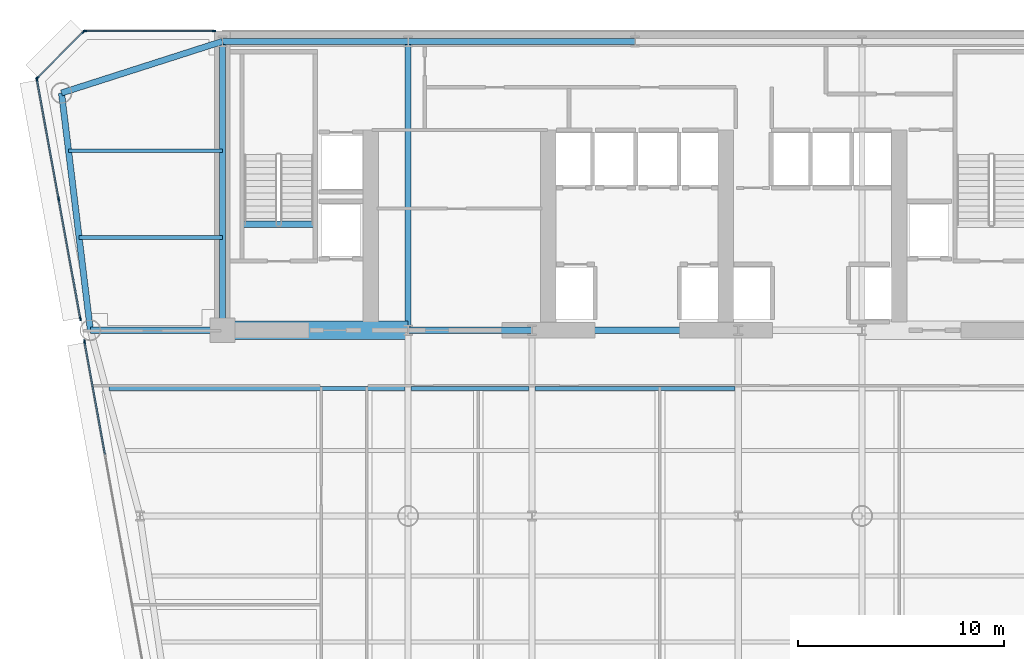
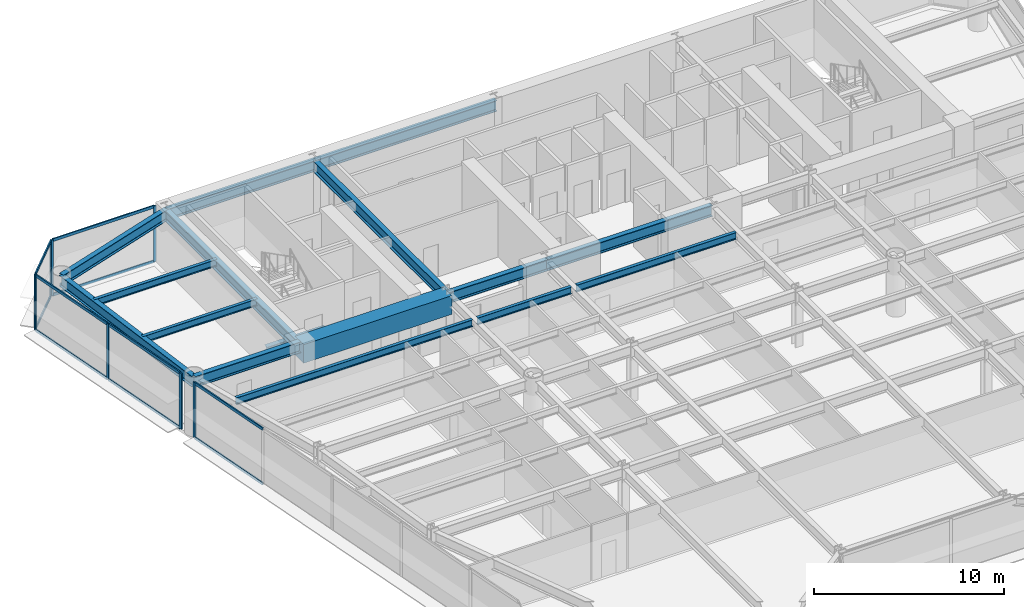
# One storey, part 5 of 14: 18 members, 16 beams, 4 elements without a shape of their own.
"""IFC4 building model written with IfcOpenShell, lengths in metres."""

from ifc_helpers import new_model, si_unit, direction, frame, origin, origin_2d, place, context, subcontext, project, spatial, rectangle, i_section, extrude, source, transform, mapped, material, layer, layer_set, material_profile, profile_set, type_object, element, aggregate, save


model = new_model("IFC4")

# Units and contexts
model_context = context("Model", 3, precision=1e-05, world=origin(), true_north=direction((0.0, 1.0)))
body_context = subcontext(model_context, "Body", "Model", "MODEL_VIEW")
ifc_project = project(units=[si_unit("LENGTHUNIT", "METRE"), si_unit("AREAUNIT", "SQUARE_METRE"), si_unit("VOLUMEUNIT", "CUBIC_METRE"), si_unit("PLANEANGLEUNIT", "RADIAN"), si_unit("MASSUNIT", "GRAM", prefix="KILO")], contexts=[model_context])

# Site, building, storey
site_placement = place(None, origin())
site = spatial("IfcSite", under=ifc_project, at=site_placement, CompositionType="ELEMENT")
building_placement = place(site_placement, origin())
building = spatial("IfcBuilding", under=site, at=building_placement, Name="Vaeldorn Concourse Tower", CompositionType="ELEMENT")
storey_placement = place(building_placement, frame((0.0, 0.0, 137.60009765625)))
storey = spatial("IfcBuildingStorey", under=building, at=storey_placement, Name="L35", CompositionType="ELEMENT", Elevation=137.60009765625)

# Beams
ifc_material_1 = material(Name="Concrete C60/75", Category="concrete")
ifc_material_profile_1 = material_profile(ifc_material_1, rectangle(XDim=0.89990234375, YDim=1.199951171875, at=origin_2d()), Name="RC 900x1200")
ifc_profile_set_1 = profile_set([ifc_material_profile_1], Name="Concrete C60/75")
beam_type_1 = type_object("IfcBeamType", Name="BM-CB-RC900", PredefinedType="BEAM", material=ifc_profile_set_1)
shared_shape_1 = source(origin(), body_context, "Body", "SweptSolid", [
    extrude(rectangle(XDim=0.89990234375, YDim=1.199951171875, at=origin_2d()), origin(), (0.0, 0.0, 1.0), 9.0),
])
beam_1_placement = place(storey_placement, frame((14.0, 36.5, 2.97998046875), z_axis=(1.0, 0.0, 0.0), x_axis=(0.0, 1.0, 0.0)))
element("IfcBeam", 1, at=beam_1_placement, inside=storey, type_object=beam_type_1, Name="Core Coupling Beam L35-1", PredefinedType="BEAM", context=body_context, shape_type="MappedRepresentation", body=[
    mapped(shared_shape_1, transform((0.0, 0.0, 0.0), scale=1.0)),
])
ifc_material_2 = material(Name="Steel S355", Category="steel")
ifc_material_profile_2 = material_profile(ifc_material_2, i_section(OverallWidth=0.300048828125, OverallDepth=0.340087890625, WebThickness=0.011962890625, FlangeThickness=0.021484375, FilletRadius=0.027099609375, at=origin_2d()), Name="HEB 340")
ifc_profile_set_2 = profile_set([ifc_material_profile_2], Name="Steel S355")
beam_type_2 = type_object("IfcBeamType", Name="BM-ST-TRIM", PredefinedType="BEAM", material=ifc_profile_set_2)
shared_shape_2 = source(origin(), body_context, "Body", "SweptSolid", [
    extrude(i_section(OverallWidth=0.300048828125, OverallDepth=0.340087890625, WebThickness=0.011962890625, FlangeThickness=0.021484375, FilletRadius=0.027099609375, at=origin_2d()), origin(), (0.0, 0.0, 1.0), 3.590087890625),
])
beam_2_placement = place(storey_placement, frame((14.929931640625, 41.639892578125, -0.39013671875), z_axis=(1.0, 0.0, 0.0), x_axis=(0.0, 1.0, 0.0)))
element("IfcBeam", 2, at=beam_2_placement, inside=storey, type_object=beam_type_2, Name="Stair Landing Trimmer Beam ST-1 L35", PredefinedType="BEAM", context=body_context, shape_type="MappedRepresentation", body=[
    mapped(shared_shape_2, transform((0.0, 0.0, 0.0), scale=1.0)),
])
ifc_material_profile_3 = material_profile(ifc_material_2, i_section(OverallWidth=0.300048828125, OverallDepth=0.699951171875, WebThickness=0.01708984375, FlangeThickness=0.031982421875, FilletRadius=0.027099609375, at=origin_2d()), Name="HEB 700")
ifc_profile_set_3 = profile_set([ifc_material_profile_3], Name="Steel S355")
beam_type_3 = type_object("IfcBeamType", Name="BM-PG-HEB700", PredefinedType="BEAM", material=ifc_profile_set_3)
shared_shape_3 = source(origin(), body_context, "Body", "SweptSolid", [
    extrude(i_section(OverallWidth=0.300048828125, OverallDepth=0.699951171875, WebThickness=0.01708984375, FlangeThickness=0.031982421875, FilletRadius=0.027099609375, at=origin_2d()), origin(), (0.0, 0.0, 1.0), 6.0),
])
beam_3_placement = place(storey_placement, frame((23.0, 36.5, 3.22998046875), z_axis=(1.0, 0.0, 0.0), x_axis=(0.0, 1.0, 0.0)))
element("IfcBeam", 3, at=beam_3_placement, inside=storey, type_object=beam_type_3, Name="Beam BM-L35-C-FC2-C-FC3", PredefinedType="BEAM", context=body_context, shape_type="MappedRepresentation", body=[
    mapped(shared_shape_3, transform((0.0, 0.0, 0.0), scale=1.0)),
])
shared_shape_4 = source(origin(), body_context, "Body", "SweptSolid", [
    extrude(i_section(OverallWidth=0.300048828125, OverallDepth=0.699951171875, WebThickness=0.01708984375, FlangeThickness=0.031982421875, FilletRadius=0.027099609375, at=origin_2d()), origin(), (0.0, 0.0, 1.0), 10.0),
])
beam_4_placement = place(storey_placement, frame((29.0, 36.5, 3.22998046875), z_axis=(1.0, 0.0, 0.0), x_axis=(0.0, 1.0, 0.0)))
element("IfcBeam", 4, at=beam_4_placement, inside=storey, type_object=beam_type_3, Name="Beam BM-L35-C-FC3-C-FC4", PredefinedType="BEAM", context=body_context, shape_type="MappedRepresentation", body=[
    mapped(shared_shape_4, transform((0.0, 0.0, 0.0), scale=1.0)),
])
shared_shape_5 = source(origin(), body_context, "Body", "SweptSolid", [
    extrude(i_section(OverallWidth=0.300048828125, OverallDepth=0.699951171875, WebThickness=0.01708984375, FlangeThickness=0.031982421875, FilletRadius=0.027099609375, at=origin_2d()), origin(), (0.0, 0.0, 1.0), 9.0),
])
beam_5_placement = place(storey_placement, frame((14.0, 50.5, 3.22998046875), z_axis=(1.0, 0.0, 0.0), x_axis=(0.0, 1.0, 0.0)))
element("IfcBeam", 5, at=beam_5_placement, inside=storey, type_object=beam_type_3, Name="Beam BM-L35-C-HC1-C-HC2", PredefinedType="BEAM", context=body_context, shape_type="MappedRepresentation", body=[
    mapped(shared_shape_5, transform((0.0, 0.0, 0.0), scale=1.0)),
])
shared_shape_6 = source(origin(), body_context, "Body", "SweptSolid", [
    extrude(i_section(OverallWidth=0.300048828125, OverallDepth=0.699951171875, WebThickness=0.01708984375, FlangeThickness=0.031982421875, FilletRadius=0.027099609375, at=origin_2d()), origin(), (0.0, 0.0, 1.0), 11.0),
])
beam_6_placement = place(storey_placement, frame((23.0, 50.5, 3.22998046875), z_axis=(1.0, 0.0, 0.0), x_axis=(0.0, 1.0, 0.0)))
element("IfcBeam", 6, at=beam_6_placement, inside=storey, type_object=beam_type_3, Name="Beam BM-L35-C-HC2-C-HC3", PredefinedType="BEAM", context=body_context, shape_type="MappedRepresentation", body=[
    mapped(shared_shape_6, transform((0.0, 0.0, 0.0), scale=1.0)),
])
shared_shape_7 = source(origin(), body_context, "Body", "SweptSolid", [
    extrude(i_section(OverallWidth=0.300048828125, OverallDepth=0.699951171875, WebThickness=0.01708984375, FlangeThickness=0.031982421875, FilletRadius=0.027099609375, at=origin_2d()), origin(), (0.0, 0.0, 1.0), 14.0),
])
for number, where, z_axis, x_axis, name in (
    (7, (14.0, 36.5, 3.22998046875), (0.0, 1.0, 0.0), (-1.0, 0.0, 0.0), "Beam BM-L35-C-FC1-C-HC1"),
    (8, (23.0, 36.5, 3.22998046875), (0.0, 1.0, 0.0), (-1.0, 0.0, 0.0), "Beam BM-L35-C-FC2-C-HC2"),
):
    element("IfcBeam", number, at=place(storey_placement, frame(where, z_axis=z_axis, x_axis=x_axis)), inside=storey, type_object=beam_type_3, Name=name, PredefinedType="BEAM", context=body_context, shape_type="MappedRepresentation", body=[
        mapped(shared_shape_7, transform((0.0, 0.0, 0.0), scale=1.0)),
    ])
shared_shape_8 = source(origin(), body_context, "Body", "SweptSolid", [
    extrude(i_section(OverallWidth=0.300048828125, OverallDepth=0.699951171875, WebThickness=0.01708984375, FlangeThickness=0.031982421875, FilletRadius=0.027099609375, at=origin_2d()), origin(), (0.0, 0.0, 1.0), 8.19091796875),
])
beam_7_placement = place(storey_placement, frame((6.199951171875, 48.0, 3.22998046875), z_axis=(0.952282843383, 0.305216949396, 0.0), x_axis=(-0.305216949396, 0.952282843383, 0.0)))
element("IfcBeam", 9, at=beam_7_placement, inside=storey, type_object=beam_type_3, Name="Beam BM-L35-C-NW1-C-HC1", PredefinedType="BEAM", context=body_context, shape_type="MappedRepresentation", body=[
    mapped(shared_shape_8, transform((0.0, 0.0, 0.0), scale=1.0)),
])
shared_shape_9 = source(origin(), body_context, "Body", "SweptSolid", [
    extrude(i_section(OverallWidth=0.300048828125, OverallDepth=0.699951171875, WebThickness=0.01708984375, FlangeThickness=0.031982421875, FilletRadius=0.027099609375, at=origin_2d()), origin(), (0.0, 0.0, 1.0), 11.5849609375),
])
beam_8_placement = place(storey_placement, frame((6.199951171875, 48.0, 3.22998046875), z_axis=(0.120859382899, -0.992669637677, 0.0), x_axis=(0.992669637677, 0.120859382899, 0.0)))
element("IfcBeam", 10, at=beam_8_placement, inside=storey, type_object=beam_type_3, Name="Beam BM-L35-C-NW1-C-NW2", PredefinedType="BEAM", context=body_context, shape_type="MappedRepresentation", body=[
    mapped(shared_shape_9, transform((0.0, 0.0, 0.0), scale=1.0)),
])
shared_shape_10 = source(origin(), body_context, "Body", "SweptSolid", [
    extrude(i_section(OverallWidth=0.300048828125, OverallDepth=0.699951171875, WebThickness=0.01708984375, FlangeThickness=0.031982421875, FilletRadius=0.027099609375, at=origin_2d()), origin(), (0.0, 0.0, 1.0), 6.39990234375),
])
beam_9_placement = place(storey_placement, frame((7.60009765625, 36.5, 3.22998046875), z_axis=(1.0, 0.0, 0.0), x_axis=(0.0, 1.0, 0.0)))
element("IfcBeam", 11, at=beam_9_placement, inside=storey, type_object=beam_type_3, Name="Beam BM-L35-C-NW2-C-FC1", PredefinedType="BEAM", context=body_context, shape_type="MappedRepresentation", body=[
    mapped(shared_shape_10, transform((0.0, 0.0, 0.0), scale=1.0)),
])
ifc_material_profile_4 = material_profile(ifc_material_2, i_section(OverallWidth=0.18994140625, OverallDepth=0.449951171875, WebThickness=0.009521484375, FlangeThickness=0.0146484375, FilletRadius=0.02099609375, at=origin_2d()), Name="IPE 450")
ifc_profile_set_4 = profile_set([ifc_material_profile_4], Name="Steel S355")
beam_type_4 = type_object("IfcBeamType", Name="BM-JS-IPE450", PredefinedType="JOIST", material=ifc_profile_set_4)
shared_shape_11 = source(origin(), body_context, "Body", "SweptSolid", [
    extrude(i_section(OverallWidth=0.18994140625, OverallDepth=0.449951171875, WebThickness=0.009521484375, FlangeThickness=0.0146484375, FilletRadius=0.02099609375, at=origin_2d()), origin(), (0.0, 0.0, 1.0), 5.7001953125),
])
beam_10_placement = place(storey_placement, frame((23.14990234375, 33.679931640625, 3.35498046875), z_axis=(1.0, 0.0, 0.0), x_axis=(0.0, 1.0, 0.0)))
element("IfcBeam", 12, at=beam_10_placement, inside=storey, type_object=beam_type_4, Name="Beam JS-L35-W2-336", PredefinedType="JOIST", context=body_context, shape_type="MappedRepresentation", body=[
    mapped(shared_shape_11, transform((0.0, 0.0, 0.0), scale=1.0)),
])
shared_shape_12 = source(origin(), body_context, "Body", "SweptSolid", [
    extrude(i_section(OverallWidth=0.18994140625, OverallDepth=0.449951171875, WebThickness=0.009521484375, FlangeThickness=0.0146484375, FilletRadius=0.02099609375, at=origin_2d()), origin(), (0.0, 0.0, 1.0), 9.7001953125),
])
beam_11_placement = place(storey_placement, frame((29.14990234375, 33.679931640625, 3.35498046875), z_axis=(1.0, 0.0, 0.0), x_axis=(0.0, 1.0, 0.0)))
element("IfcBeam", 13, at=beam_11_placement, inside=storey, type_object=beam_type_4, Name="Beam JS-L35-C-336", PredefinedType="JOIST", context=body_context, shape_type="MappedRepresentation", body=[
    mapped(shared_shape_12, transform((0.0, 0.0, 0.0), scale=1.0)),
])
shared_shape_13 = source(origin(), body_context, "Body", "SweptSolid", [
    extrude(i_section(OverallWidth=0.18994140625, OverallDepth=0.449951171875, WebThickness=0.009521484375, FlangeThickness=0.0146484375, FilletRadius=0.02099609375, at=origin_2d()), origin(), (0.0, 0.0, 1.0), 6.94775390625),
])
beam_12_placement = place(storey_placement, frame((7.05224609375, 41.0, 3.35498046875), z_axis=(1.0, 0.0, 0.0), x_axis=(0.0, 1.0, 0.0)))
element("IfcBeam", 14, at=beam_12_placement, inside=storey, type_object=beam_type_4, Name="Beam JS-L35-NW-410", PredefinedType="JOIST", context=body_context, shape_type="MappedRepresentation", body=[
    mapped(shared_shape_13, transform((0.0, 0.0, 0.0), scale=1.0)),
])
shared_shape_14 = source(origin(), body_context, "Body", "SweptSolid", [
    extrude(i_section(OverallWidth=0.18994140625, OverallDepth=0.449951171875, WebThickness=0.009521484375, FlangeThickness=0.0146484375, FilletRadius=0.02099609375, at=origin_2d()), origin(), (0.0, 0.0, 1.0), 7.458984375),
])
beam_13_placement = place(storey_placement, frame((6.541015625, 45.199951171875, 3.35498046875), z_axis=(1.0, 0.0, 0.0), x_axis=(0.0, 1.0, 0.0)))
element("IfcBeam", 15, at=beam_13_placement, inside=storey, type_object=beam_type_4, Name="Beam JS-L35-NW-452", PredefinedType="JOIST", context=body_context, shape_type="MappedRepresentation", body=[
    mapped(shared_shape_14, transform((0.0, 0.0, 0.0), scale=1.0)),
])
shared_shape_15 = source(origin(), body_context, "Body", "SweptSolid", [
    extrude(i_section(OverallWidth=0.18994140625, OverallDepth=0.449951171875, WebThickness=0.009521484375, FlangeThickness=0.0146484375, FilletRadius=0.02099609375, at=origin_2d()), origin(), (0.0, 0.0, 1.0), 14.34814453125),
])
beam_14_placement = place(storey_placement, frame((8.501953125, 33.679931640625, 3.35498046875), z_axis=(1.0, 0.0, 0.0), x_axis=(0.0, 1.0, 0.0)))
element("IfcBeam", 16, at=beam_14_placement, inside=storey, type_object=beam_type_4, Name="Beam JS-L35-W1-336", PredefinedType="JOIST", context=body_context, shape_type="MappedRepresentation", body=[
    mapped(shared_shape_15, transform((0.0, 0.0, 0.0), scale=1.0)),
])

# Curtain wall, members
ifc_material_3 = material(Name="Anodised Bronze Aluminium", Category="aluminium")
ifc_layer = layer(ifc_material_3, 0.199951171875)
ifc_layer_set = layer_set([ifc_layer], Name="Anodised Bronze Aluminium")
curtain_wall_type = type_object("IfcCurtainWallType", Name="CW-SYS-02", PredefinedType="NOTDEFINED", material=ifc_layer_set)
curtain_wall_1_placement = place(storey_placement, origin())
curtain_wall_1 = element("IfcCurtainWall", 17, at=curtain_wall_1_placement, inside=storey, type_object=curtain_wall_type, Name="Unitised Curtain Wall CW-L35-E10-1", PredefinedType="NOTDEFINED")
ifc_material_profile_5 = material_profile(ifc_material_3, rectangle(XDim=0.074951171875, YDim=0.179931640625, at=origin_2d()), Name="CWT 75x180")
ifc_profile_set_5 = profile_set([ifc_material_profile_5], Name="Anodised Bronze Aluminium")
member_type_1 = type_object("IfcMemberType", Name="CWT-BRONZE-180", PredefinedType="USERDEFINED", material=ifc_profile_set_5)
shared_shape_16 = source(origin(), body_context, "Body", "SweptSolid", [
    extrude(rectangle(XDim=0.074951171875, YDim=0.179931640625, at=origin_2d()), origin(), (0.0, 0.0, 1.0), 3.10302734375),
])
member_1_placement = place(storey_placement, frame((7.2470703125, 50.947021484375, 0.037353515625), z_axis=(-0.707106781187, -0.707106781187, 0.0), x_axis=(0.707106781187, -0.707106781187, 0.0)))
member_1 = element("IfcMember", 18, at=member_1_placement, type_object=member_type_1, Name="CW-02 transom 1.1", ObjectType="TRANSOM", PredefinedType="USERDEFINED", context=body_context, shape_type="MappedRepresentation", body=[
    mapped(shared_shape_16, transform((0.0, 0.0, 0.0), scale=1.0)),
])
member_2_placement = place(storey_placement, frame((7.2470703125, 50.947021484375, 3.54248046875), z_axis=(-0.707106781187, -0.707106781187, 0.0), x_axis=(0.707106781187, -0.707106781187, 0.0)))
member_2 = element("IfcMember", 19, at=member_2_placement, type_object=member_type_1, Name="CW-02 transom 1.2", ObjectType="TRANSOM", PredefinedType="USERDEFINED", context=body_context, shape_type="MappedRepresentation", body=[
    mapped(shared_shape_16, transform((0.0, 0.0, 0.0), scale=1.0)),
])

curtain_wall_2_placement = place(storey_placement, origin())
curtain_wall_2 = element("IfcCurtainWall", 20, at=curtain_wall_2_placement, inside=storey, type_object=curtain_wall_type, Name="Unitised Curtain Wall CW-L35-E09-2", PredefinedType="NOTDEFINED")
shared_shape_17 = source(origin(), body_context, "Body", "SweptSolid", [
    extrude(rectangle(XDim=0.074951171875, YDim=0.179931640625, at=origin_2d()), origin(), (0.0, 0.0, 1.0), 6.179931640625),
])
member_3_placement = place(storey_placement, frame((13.554931640625, 51.0, 0.037353515625), z_axis=(-1.0, 0.0, 0.0), x_axis=(0.0, -1.0, 0.0)))
member_3 = element("IfcMember", 21, at=member_3_placement, type_object=member_type_1, Name="CW-02 transom 1.1", ObjectType="TRANSOM", PredefinedType="USERDEFINED", context=body_context, shape_type="MappedRepresentation", body=[
    mapped(shared_shape_17, transform((0.0, 0.0, 0.0), scale=1.0)),
])
member_4_placement = place(storey_placement, frame((13.554931640625, 51.0, 3.54248046875), z_axis=(-1.0, 0.0, 0.0), x_axis=(0.0, -1.0, 0.0)))
member_4 = element("IfcMember", 22, at=member_4_placement, type_object=member_type_1, Name="CW-02 transom 1.2", ObjectType="TRANSOM", PredefinedType="USERDEFINED", context=body_context, shape_type="MappedRepresentation", body=[
    mapped(shared_shape_17, transform((0.0, 0.0, 0.0), scale=1.0)),
])
ifc_material_profile_6 = material_profile(ifc_material_3, rectangle(XDim=0.074951171875, YDim=0.18994140625, at=origin_2d()), Name="CWM 75x190")
ifc_profile_set_6 = profile_set([ifc_material_profile_6], Name="Anodised Bronze Aluminium")
member_type_2 = type_object("IfcMemberType", Name="CWM-BRONZE-190", PredefinedType="MULLION", material=ifc_profile_set_6)
shared_shape_18 = source(origin(), body_context, "Body", "SweptSolid", [
    extrude(rectangle(XDim=0.074951171875, YDim=0.18994140625, at=origin_2d()), origin(), (0.0, 0.0, 1.0), 3.579833984375),
])
member_5_placement = place(storey_placement, frame((13.592529296875, 51.0, 0.0), z_axis=(0.0, 0.0, 1.0), x_axis=(0.0, -1.0, 0.0)))
member_5 = element("IfcMember", 23, at=member_5_placement, type_object=member_type_2, Name="CW-02 mullion 1", PredefinedType="MULLION", context=body_context, shape_type="MappedRepresentation", body=[
    mapped(shared_shape_18, transform((0.0, 0.0, 0.0), scale=1.0)),
])
member_6_placement = place(storey_placement, frame((7.33740234375, 51.0, 0.0), z_axis=(0.0, 0.0, 1.0), x_axis=(0.0, -1.0, 0.0)))
member_6 = element("IfcMember", 24, at=member_6_placement, type_object=member_type_2, Name="CW-02 mullion 2", PredefinedType="MULLION", context=body_context, shape_type="MappedRepresentation", body=[
    mapped(shared_shape_18, transform((0.0, 0.0, 0.0), scale=1.0)),
])
aggregate(curtain_wall_2, [member_5, member_6, member_3, member_4])

# Member
member_7_placement = place(storey_placement, frame((7.2734375, 50.973388671875, 0.0), z_axis=(0.0, 0.0, 1.0), x_axis=(0.707106781187, -0.707106781187, 0.0)))
member_7 = element("IfcMember", 25, at=member_7_placement, type_object=member_type_2, Name="CW-02 mullion 1", PredefinedType="MULLION", context=body_context, shape_type="MappedRepresentation", body=[
    mapped(shared_shape_18, transform((0.0, 0.0, 0.0), scale=1.0)),
])

member_8_placement = place(storey_placement, frame((5.026611328125, 48.7265625, 0.0), z_axis=(0.0, 0.0, 1.0), x_axis=(0.707106781187, -0.707106781187, 0.0)))
member_8 = element("IfcMember", 26, at=member_8_placement, type_object=member_type_2, Name="CW-02 mullion 2", PredefinedType="MULLION", context=body_context, shape_type="MappedRepresentation", body=[
    mapped(shared_shape_18, transform((0.0, 0.0, 0.0), scale=1.0)),
])

aggregate(curtain_wall_1, [member_7, member_8, member_1, member_2])

# Curtain wall, members
curtain_wall_3_placement = place(storey_placement, origin())
curtain_wall_3 = element("IfcCurtainWall", 27, at=curtain_wall_3_placement, inside=storey, type_object=curtain_wall_type, Name="Unitised Curtain Wall CW-L35-E11-1", PredefinedType="NOTDEFINED")
member_9_placement = place(storey_placement, frame((5.006591796875, 48.6630859375, 0.0), z_axis=(0.0, 0.0, 1.0), x_axis=(0.983920271487, 0.178608228695, 0.0)))
member_9 = element("IfcMember", 28, at=member_9_placement, type_object=member_type_2, Name="CW-02 mullion 1", PredefinedType="MULLION", context=body_context, shape_type="MappedRepresentation", body=[
    mapped(shared_shape_18, transform((0.0, 0.0, 0.0), scale=1.0)),
])
member_10_placement = place(storey_placement, frame((6.060302734375, 42.85888671875, 0.0), z_axis=(0.0, 0.0, 1.0), x_axis=(0.983920271487, 0.178608228695, 0.0)))
member_10 = element("IfcMember", 29, at=member_10_placement, type_object=member_type_2, Name="CW-02 mullion 2", PredefinedType="MULLION", context=body_context, shape_type="MappedRepresentation", body=[
    mapped(shared_shape_18, transform((0.0, 0.0, 0.0), scale=1.0)),
])
member_11_placement = place(storey_placement, frame((7.114013671875, 37.054931640625, 0.0), z_axis=(0.0, 0.0, 1.0), x_axis=(0.983920271487, 0.178608228695, 0.0)))
member_11 = element("IfcMember", 30, at=member_11_placement, type_object=member_type_2, Name="CW-02 mullion 3", PredefinedType="MULLION", context=body_context, shape_type="MappedRepresentation", body=[
    mapped(shared_shape_18, transform((0.0, 0.0, 0.0), scale=1.0)),
])

# Curtain wall, member
curtain_wall_4_placement = place(storey_placement, origin())
curtain_wall_4 = element("IfcCurtainWall", 31, at=curtain_wall_4_placement, inside=storey, type_object=curtain_wall_type, Name="Unitised Curtain Wall CW-L35-E11-2", PredefinedType="NOTDEFINED")
member_12_placement = place(storey_placement, frame((7.3154296875, 35.945068359375, 0.0), z_axis=(0.0, 0.0, 1.0), x_axis=(0.983920223109, 0.178608495197, 0.0)))
member_12 = element("IfcMember", 32, at=member_12_placement, type_object=member_type_2, Name="CW-02 mullion 1", PredefinedType="MULLION", context=body_context, shape_type="MappedRepresentation", body=[
    mapped(shared_shape_18, transform((0.0, 0.0, 0.0), scale=1.0)),
])

# Member
shared_shape_19 = source(origin(), body_context, "Body", "SweptSolid", [
    extrude(rectangle(XDim=0.074951171875, YDim=0.179931640625, at=origin_2d()), origin(), (0.0, 0.0, 1.0), 5.823974609375),
])
member_13_placement = place(storey_placement, frame((5.013427734375, 48.626220703125, 0.037353515625), z_axis=(0.178623512193, -0.983917496994, 0.0), x_axis=(0.983917496994, 0.178623512193, 0.0)))
member_13 = element("IfcMember", 33, at=member_13_placement, type_object=member_type_1, Name="CW-02 transom 1.1", ObjectType="TRANSOM", PredefinedType="USERDEFINED", context=body_context, shape_type="MappedRepresentation", body=[
    mapped(shared_shape_19, transform((0.0, 0.0, 0.0), scale=1.0)),
])

member_14_placement = place(storey_placement, frame((5.013427734375, 48.626220703125, 3.54248046875), z_axis=(0.178623512193, -0.983917496994, 0.0), x_axis=(0.983917496994, 0.178623512193, 0.0)))
member_14 = element("IfcMember", 34, at=member_14_placement, type_object=member_type_1, Name="CW-02 transom 1.2", ObjectType="TRANSOM", PredefinedType="USERDEFINED", context=body_context, shape_type="MappedRepresentation", body=[
    mapped(shared_shape_19, transform((0.0, 0.0, 0.0), scale=1.0)),
])

member_15_placement = place(storey_placement, frame((6.06689453125, 42.822021484375, 0.037353515625), z_axis=(0.178623512193, -0.983917496994, 0.0), x_axis=(0.983917496994, 0.178623512193, 0.0)))
member_15 = element("IfcMember", 35, at=member_15_placement, type_object=member_type_1, Name="CW-02 transom 2.1", ObjectType="TRANSOM", PredefinedType="USERDEFINED", context=body_context, shape_type="MappedRepresentation", body=[
    mapped(shared_shape_19, transform((0.0, 0.0, 0.0), scale=1.0)),
])

member_16_placement = place(storey_placement, frame((6.06689453125, 42.822021484375, 3.54248046875), z_axis=(0.178623512193, -0.983917496994, 0.0), x_axis=(0.983917496994, 0.178623512193, 0.0)))
member_16 = element("IfcMember", 36, at=member_16_placement, type_object=member_type_1, Name="CW-02 transom 2.2", ObjectType="TRANSOM", PredefinedType="USERDEFINED", context=body_context, shape_type="MappedRepresentation", body=[
    mapped(shared_shape_19, transform((0.0, 0.0, 0.0), scale=1.0)),
])

aggregate(curtain_wall_3, [member_9, member_10, member_11, member_13, member_14, member_15, member_16])

shared_shape_20 = source(origin(), body_context, "Body", "SweptSolid", [
    extrude(rectangle(XDim=0.074951171875, YDim=0.179931640625, at=origin_2d()), origin(), (0.0, 0.0, 1.0), 5.511962890625),
])
member_17_placement = place(storey_placement, frame((7.322021484375, 35.908203125, 0.037353515625), z_axis=(0.178632078565, -0.98391594179, 0.0), x_axis=(0.98391594179, 0.178632078565, 0.0)))
member_17 = element("IfcMember", 37, at=member_17_placement, type_object=member_type_1, Name="CW-02 transom 1.1", ObjectType="TRANSOM", PredefinedType="USERDEFINED", context=body_context, shape_type="MappedRepresentation", body=[
    mapped(shared_shape_20, transform((0.0, 0.0, 0.0), scale=1.0)),
])

member_18_placement = place(storey_placement, frame((7.322021484375, 35.908203125, 3.54248046875), z_axis=(0.178632078565, -0.98391594179, 0.0), x_axis=(0.98391594179, 0.178632078565, 0.0)))
member_18 = element("IfcMember", 38, at=member_18_placement, type_object=member_type_1, Name="CW-02 transom 1.2", ObjectType="TRANSOM", PredefinedType="USERDEFINED", context=body_context, shape_type="MappedRepresentation", body=[
    mapped(shared_shape_20, transform((0.0, 0.0, 0.0), scale=1.0)),
])

aggregate(curtain_wall_4, [member_12, member_17, member_18])

save(model, "model.ifc")
